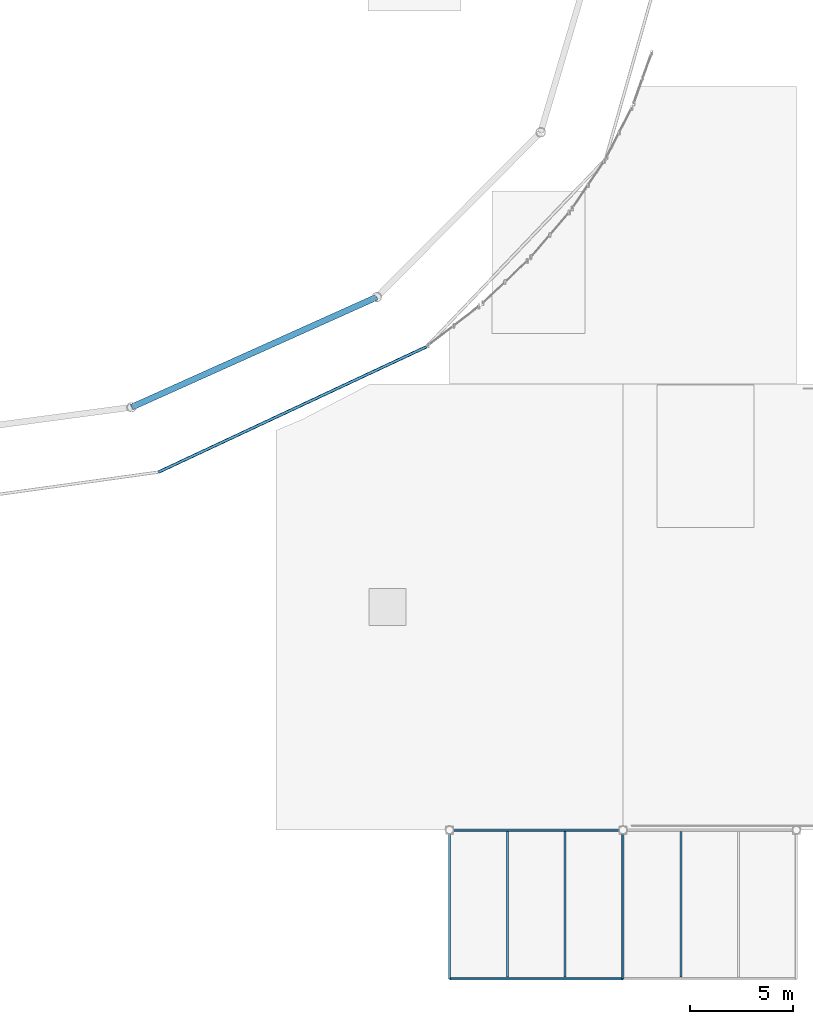
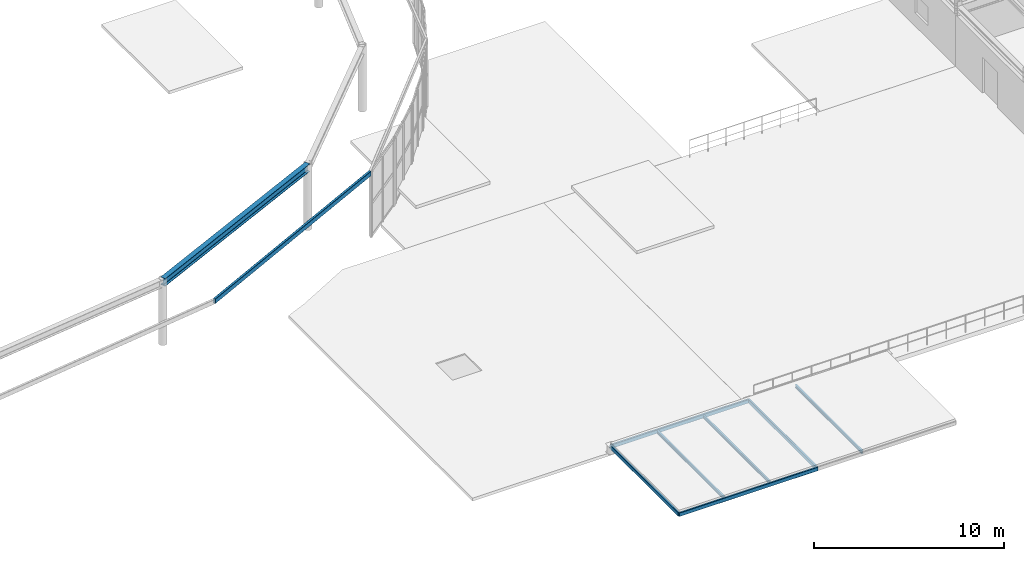
# One storey, part 22 of 73: 9 beams.
"""IFC4 building model written with IfcOpenShell, lengths in metres."""

from ifc_helpers import new_model, si_unit, derived_unit, direction, frame, origin, origin_2d, place, context, subcontext, project, spatial, hollow_rectangle, i_section, extrude, material, material_profile, profile_set, type_object, element, save


model = new_model("IFC4")

# Units and contexts
model_context = context("Model", 3, precision=1e-05, world=origin(), true_north=direction((0.0, 1.0)))
body_context = subcontext(model_context, "Body", "Model", "MODEL_VIEW")
ifc_project = project(units=[si_unit("LENGTHUNIT", "METRE"), si_unit("AREAUNIT", "SQUARE_METRE"), si_unit("VOLUMEUNIT", "CUBIC_METRE"), si_unit("PLANEANGLEUNIT", "RADIAN"), si_unit("MASSUNIT", "GRAM", prefix="KILO"), derived_unit("THERMALTRANSMITTANCEUNIT", [(si_unit("MASSUNIT", "GRAM", prefix="KILO"), 1), (si_unit("TIMEUNIT", "SECOND"), -3), (si_unit("THERMODYNAMICTEMPERATUREUNIT", "KELVIN"), -1)])], contexts=[model_context])

# Site, building, storey
site_placement = place(None, origin())
site = spatial("IfcSite", under=ifc_project, at=site_placement, CompositionType="ELEMENT")
building_placement = place(site_placement, origin())
building = spatial("IfcBuilding", under=site, at=building_placement, Name="Kharveza Railside Sports Centre", CompositionType="ELEMENT")
storey_placement = place(building_placement, frame((0.0, 0.0, 8.699951171875)))
storey = spatial("IfcBuildingStorey", under=building, at=storey_placement, Name="L02", CompositionType="ELEMENT", Elevation=8.699951171875)

# Beams
ifc_material_1 = material(Name="Steel S355J2", Category="steel")
ifc_material_profile_1 = material_profile(ifc_material_1, i_section(OverallWidth=0.300048828125, OverallDepth=0.489990234375, WebThickness=0.011962890625, FlangeThickness=0.02294921875, FilletRadius=0.027099609375, at=origin_2d()), Name="HEA 500")
ifc_profile_set_1 = profile_set([ifc_material_profile_1], Name="Steel S355J2")
beam_type_1 = type_object("IfcBeamType", Name="BM-G08", PredefinedType="T_BEAM", material=ifc_profile_set_1)
beam_1_placement = place(storey_placement, frame((68.606201171875, 27.672607421875, 3.949951171875), z_axis=(0.912228335917, 0.409682148928, 0.0), x_axis=(-0.409682148928, 0.912228335917, 0.0)))
element("IfcBeam", 1, at=beam_1_placement, inside=storey, type_object=beam_type_1, Name="BM-DRING-L02-14", PredefinedType="T_BEAM", context=body_context, shape_type="SweptSolid", body=[
    extrude(i_section(OverallWidth=0.300048828125, OverallDepth=0.489990234375, WebThickness=0.011962890625, FlangeThickness=0.02294921875, FilletRadius=0.027099609375, at=origin_2d()), origin(), (0.0, 0.0, 1.0), 13.016357421875),
])
ifc_material_2 = material(Name="Steel S275JR", Category="steel")
ifc_material_profile_2 = material_profile(ifc_material_2, i_section(OverallWidth=0.10009765625, OverallDepth=0.199951171875, WebThickness=0.005615234375, FlangeThickness=0.008544921875, FilletRadius=0.011962890625, at=origin_2d()), Name="IPE 200")
ifc_profile_set_2 = profile_set([ifc_material_profile_2], Name="Steel S275JR")
beam_type_2 = type_object("IfcBeamType", Name="BM-J03", PredefinedType="JOIST", material=ifc_profile_set_2)
for number, where, z_axis, x_axis, name in (
    (2, (86.800048828125, 0.074951171875, 0.4150390625), (0.0, 1.0, 0.0), (-1.0, 0.0, 0.0), "BM-CANOPY-J-01"),
    (3, (89.60009765625, 0.074951171875, 0.4150390625), (0.0, 1.0, 0.0), (-1.0, 0.0, 0.0), "BM-CANOPY-J-02"),
    (4, (95.199951171875, 0.074951171875, 0.4150390625), (0.0, 1.0, 0.0), (-1.0, 0.0, 0.0), "BM-CANOPY-J-03"),
):
    element("IfcBeam", number, at=place(storey_placement, frame(where, z_axis=z_axis, x_axis=x_axis)), inside=storey, type_object=beam_type_2, Name=name, PredefinedType="JOIST", context=body_context, shape_type="SweptSolid", body=[
        extrude(i_section(OverallWidth=0.10009765625, OverallDepth=0.199951171875, WebThickness=0.005615234375, FlangeThickness=0.008544921875, FilletRadius=0.011962890625, at=origin_2d()), origin(), (0.0, 0.0, 1.0), 7.050048828125),
    ])
ifc_material_profile_3 = material_profile(ifc_material_1, hollow_rectangle(XDim=0.14990234375, YDim=0.300048828125, WallThickness=0.012451171875, InnerFilletRadius=0.012451171875, OuterFilletRadius=0.02490234375, at=origin_2d()), Name="RHS 150x300x12.5")
ifc_profile_set_3 = profile_set([ifc_material_profile_3], Name="Steel S355J2")
beam_type_3 = type_object("IfcBeamType", Name="BM-SP03", PredefinedType="SPANDREL", material=ifc_profile_set_3)
beam_2_placement = place(storey_placement, frame((69.9072265625, 24.531494140625, 4.150146484375), z_axis=(0.905818403769, 0.423666165032, 0.0), x_axis=(-0.423666165032, 0.905818403769, 0.0)))
element("IfcBeam", 5, at=beam_2_placement, inside=storey, type_object=beam_type_3, Name="BM-DCLER-HEAD-14", PredefinedType="SPANDREL", context=body_context, shape_type="SweptSolid", body=[
    extrude(hollow_rectangle(XDim=0.14990234375, YDim=0.300048828125, WallThickness=0.012451171875, InnerFilletRadius=0.012451171875, OuterFilletRadius=0.02490234375, at=origin_2d()), origin(), (0.0, 0.0, 1.0), 14.326416015625),
])
ifc_material_profile_4 = material_profile(ifc_material_1, hollow_rectangle(XDim=0.1201171875, YDim=0.239990234375, WallThickness=0.010009765625, InnerFilletRadius=0.010009765625, OuterFilletRadius=0.02001953125, at=origin_2d()), Name="RHS 120x240x10.0")
ifc_profile_set_4 = profile_set([ifc_material_profile_4], Name="Steel S355J2")
beam_type_4 = type_object("IfcBeamType", Name="BM-SP05", PredefinedType="SPANDREL", material=ifc_profile_set_4)
for number, where, z_axis, x_axis, name in (
    (6, (84.0, 0.0, 0.39501953125), (0.0, 1.0, 0.0), (-1.0, 0.0, 0.0), "BM-CANOPY-NS-84"),
    (7, (92.39990234375, 0.0, 0.39501953125), (0.0, 1.0, 0.0), (-1.0, 0.0, 0.0), "BM-CANOPY-NS-92"),
):
    element("IfcBeam", number, at=place(storey_placement, frame(where, z_axis=z_axis, x_axis=x_axis)), inside=storey, type_object=beam_type_4, Name=name, PredefinedType="SPANDREL", context=body_context, shape_type="SweptSolid", body=[
        extrude(hollow_rectangle(XDim=0.1201171875, YDim=0.239990234375, WallThickness=0.010009765625, InnerFilletRadius=0.010009765625, OuterFilletRadius=0.02001953125, at=origin_2d()), origin(), (0.0, 0.0, 1.0), 7.199951171875),
    ])
for number, where, z_axis, x_axis, name in (
    (8, (84.0, 0.0, 0.39501953125), (1.0, 0.0, 0.0), (0.0, 1.0, 0.0), "BM-CANOPY-SP-S1"),
    (9, (84.0, 7.199951171875, 0.39501953125), (1.0, 0.0, 0.0), (0.0, 1.0, 0.0), "BM-CANOPY-SP-N1"),
):
    element("IfcBeam", number, at=place(storey_placement, frame(where, z_axis=z_axis, x_axis=x_axis)), inside=storey, type_object=beam_type_4, Name=name, PredefinedType="SPANDREL", context=body_context, shape_type="SweptSolid", body=[
        extrude(hollow_rectangle(XDim=0.1201171875, YDim=0.239990234375, WallThickness=0.010009765625, InnerFilletRadius=0.010009765625, OuterFilletRadius=0.02001953125, at=origin_2d()), origin(), (0.0, 0.0, 1.0), 8.39990234375),
    ])

save(model, "model.ifc")
